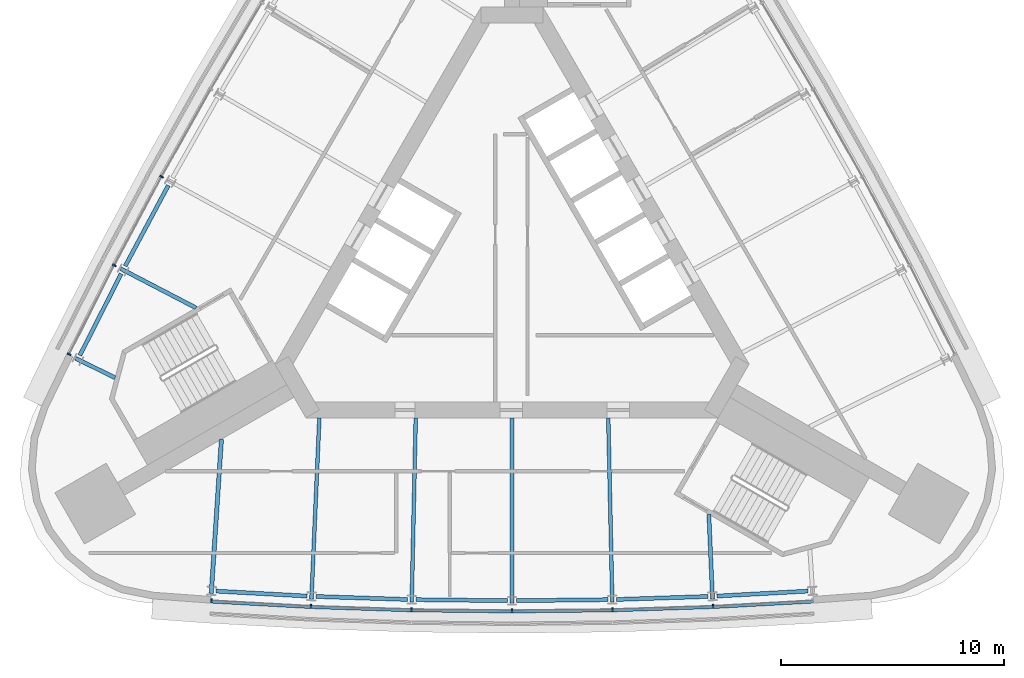
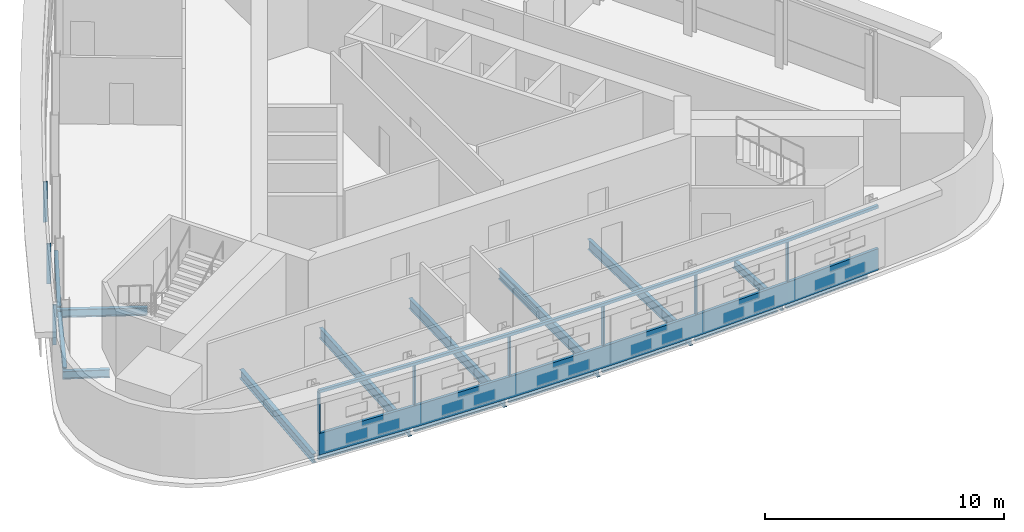
# One storey, part 2 of 11: 16 beams, 11 members, 2 elements without a shape of their own.
"""IFC4 building model written with IfcOpenShell, lengths in metres."""

from ifc_helpers import new_model, si_unit, direction, frame, origin, origin_2d, place, context, subcontext, project, spatial, polyline, rectangle, i_section, outline, extrude, material, material_profile, profile_set, type_object, element, aggregate, save


model = new_model("IFC4")

# Units and contexts
model_context = context("Model", 3, precision=1e-05, world=origin(), true_north=direction((0.0, 1.0)))
body_context = subcontext(model_context, "Body", "Model", "MODEL_VIEW")
ifc_project = project(units=[si_unit("LENGTHUNIT", "METRE"), si_unit("AREAUNIT", "SQUARE_METRE"), si_unit("VOLUMEUNIT", "CUBIC_METRE"), si_unit("PLANEANGLEUNIT", "RADIAN"), si_unit("MASSUNIT", "GRAM", prefix="KILO")], contexts=[model_context])

# Site, building, storey
site_placement = place(None, origin())
site = spatial("IfcSite", under=ifc_project, at=site_placement, CompositionType="ELEMENT")
building_placement = place(site_placement, origin())
building = spatial("IfcBuilding", under=site, at=building_placement, Name="Noor Cloister Tower", CompositionType="ELEMENT")
storey_placement = place(building_placement, frame((0.0, 0.0, 203.10009765625)))
storey = spatial("IfcBuildingStorey", under=building, at=storey_placement, Name="L52", CompositionType="ELEMENT", Elevation=203.10009765625)

# Curtain wall, member
ifc_material_1 = material(Name="Aluminium 6063-T6 anodised", Category="aluminium")
curtain_wall_type = type_object("IfcCurtainWallType", Name="Ribbon curtain wall, upper tower CW5", PredefinedType="NOTDEFINED", material=ifc_material_1)
curtain_wall_1_placement = place(storey_placement, origin())
curtain_wall_1 = element("IfcCurtainWall", 1, at=curtain_wall_1_placement, inside=storey, type_object=curtain_wall_type, Name="CW5 L52 S run 2", PredefinedType="NOTDEFINED")
ifc_material_2 = material(Name="Aluminium 6063-T6 anodised", Category="aluminium")
member_type_1 = type_object("IfcMemberType", Name="Head transom CW5 150", PredefinedType="USERDEFINED", material=ifc_material_2)
member_1_placement = place(storey_placement, frame((0.0, 0.0, 3.14990234375)))
member_1 = element("IfcMember", 2, at=member_1_placement, type_object=member_type_1, Name="CW5 head transom", ObjectType="TRANSOM", PredefinedType="USERDEFINED", context=body_context, shape_type="SweptSolid", body=[
    extrude(outline(polyline([(-13.490234375, -15.2236328125), (-8.9970703125, -15.469970703125), (-4.499755859375, -15.61767578125), (0.0, -15.666748046875), (4.499755859375, -15.61767578125), (8.9970703125, -15.469970703125), (13.490234375, -15.2236328125), (13.482666015625, -15.083984375), (8.990966796875, -15.330078125), (4.49658203125, -15.4775390625), (0.0, -15.52685546875), (-4.49658203125, -15.4775390625), (-8.990966796875, -15.330078125), (-13.482666015625, -15.083984375), (-13.490234375, -15.2236328125)])), origin(), (0.0, 0.0, 1.0), 0.14990234375),
])

# Curtain wall, members
curtain_wall_2_placement = place(storey_placement, origin())
curtain_wall_2 = element("IfcCurtainWall", 3, at=curtain_wall_2_placement, inside=storey, type_object=curtain_wall_type, Name="CW5 L52 NW run 1", PredefinedType="NOTDEFINED")
ifc_material_3 = material(Name="Aluminium 6063-T6 anodised", Category="aluminium")
ifc_material_profile_1 = material_profile(ifc_material_3, rectangle(XDim=0.179931640625, YDim=0.070068359375, at=origin_2d()), Name="180 x 70 mullion")
ifc_profile_set_1 = profile_set([ifc_material_profile_1], Name="Aluminium 6063-T6 anodised")
member_type_2 = type_object("IfcMemberType", Name="Mullion CW5 70 x 180", PredefinedType="MULLION", material=ifc_profile_set_1)
member_2_placement = place(storey_placement, frame((-15.687255859375, 3.864013671875, 1.099853515625), z_axis=(0.0, 0.0, 1.0), x_axis=(0.876762750316, -0.480923153589, 0.0)))
member_2 = element("IfcMember", 4, at=member_2_placement, type_object=member_type_2, Name="CW5 mullion 5", PredefinedType="MULLION", context=body_context, shape_type="SweptSolid", body=[
    extrude(rectangle(XDim=0.179931640625, YDim=0.070068359375, at=origin_2d()), origin(), (0.0, 0.0, 1.0), 2.050048828125),
])
member_3_placement = place(storey_placement, frame((-17.80712890625, -0.10302734375, 1.099853515625), z_axis=(0.0, 0.0, 1.0), x_axis=(0.887079929457, -0.461615856264, 0.0)))
member_3 = element("IfcMember", 5, at=member_3_placement, type_object=member_type_2, Name="CW5 mullion 6", PredefinedType="MULLION", context=body_context, shape_type="SweptSolid", body=[
    extrude(rectangle(XDim=0.179931640625, YDim=0.070068359375, at=origin_2d()), origin(), (0.0, 0.0, 1.0), 2.050048828125),
])
member_4_placement = place(storey_placement, frame((-19.82421875, -4.0849609375, 1.099853515625), z_axis=(0.0, 0.0, 1.0), x_axis=(0.892079410493, -0.451878662226, 0.0)))
member_4 = element("IfcMember", 6, at=member_4_placement, type_object=member_type_2, Name="CW5 mullion 7", PredefinedType="MULLION", context=body_context, shape_type="SweptSolid", body=[
    extrude(rectangle(XDim=0.179931640625, YDim=0.070068359375, at=origin_2d()), origin(), (0.0, 0.0, 1.0), 2.050048828125),
])
aggregate(curtain_wall_2, [member_2, member_3, member_4])

# Member
member_5_placement = place(storey_placement, frame((-13.449951171875, -15.125732421875, 1.099853515625), z_axis=(0.0, 0.0, 1.0), x_axis=(0.054701304331, 0.998502762793, 0.0)))
member_5 = element("IfcMember", 7, at=member_5_placement, type_object=member_type_2, Name="CW5 mullion 1", PredefinedType="MULLION", context=body_context, shape_type="SweptSolid", body=[
    extrude(rectangle(XDim=0.179931640625, YDim=0.070068359375, at=origin_2d()), origin(), (0.0, 0.0, 1.0), 2.050048828125),
])

member_6_placement = place(storey_placement, frame((-8.99267578125, -15.369873046875, 1.099853515625), z_axis=(0.0, 0.0, 1.0), x_axis=(0.043768906415, 0.999041682229, 0.0)))
member_6 = element("IfcMember", 8, at=member_6_placement, type_object=member_type_2, Name="CW5 mullion 2", PredefinedType="MULLION", context=body_context, shape_type="SweptSolid", body=[
    extrude(rectangle(XDim=0.179931640625, YDim=0.070068359375, at=origin_2d()), origin(), (0.0, 0.0, 1.0), 2.050048828125),
])

member_7_placement = place(storey_placement, frame((-4.49755859375, -15.517578125, 1.099853515625), z_axis=(0.0, 0.0, 1.0), x_axis=(0.021889706882, 0.99976039166, 0.0)))
member_7 = element("IfcMember", 9, at=member_7_placement, type_object=member_type_2, Name="CW5 mullion 3", PredefinedType="MULLION", context=body_context, shape_type="SweptSolid", body=[
    extrude(rectangle(XDim=0.179931640625, YDim=0.070068359375, at=origin_2d()), origin(), (0.0, 0.0, 1.0), 2.050048828125),
])

member_8_placement = place(storey_placement, frame((0.0, -15.56689453125, 1.099853515625), z_axis=(0.0, 0.0, 1.0), x_axis=(0.0, 1.0, 0.0)))
member_8 = element("IfcMember", 10, at=member_8_placement, type_object=member_type_2, Name="CW5 mullion 4", PredefinedType="MULLION", context=body_context, shape_type="SweptSolid", body=[
    extrude(rectangle(XDim=0.179931640625, YDim=0.070068359375, at=origin_2d()), origin(), (0.0, 0.0, 1.0), 2.050048828125),
])

member_9_placement = place(storey_placement, frame((4.49755859375, -15.517578125, 1.099853515625), z_axis=(0.0, 0.0, 1.0), x_axis=(-0.021889706882, 0.99976039166, 0.0)))
member_9 = element("IfcMember", 11, at=member_9_placement, type_object=member_type_2, Name="CW5 mullion 5", PredefinedType="MULLION", context=body_context, shape_type="SweptSolid", body=[
    extrude(rectangle(XDim=0.179931640625, YDim=0.070068359375, at=origin_2d()), origin(), (0.0, 0.0, 1.0), 2.050048828125),
])

member_10_placement = place(storey_placement, frame((8.99267578125, -15.369873046875, 1.099853515625), z_axis=(0.0, 0.0, 1.0), x_axis=(-0.043768906415, 0.999041682229, 0.0)))
member_10 = element("IfcMember", 12, at=member_10_placement, type_object=member_type_2, Name="CW5 mullion 6", PredefinedType="MULLION", context=body_context, shape_type="SweptSolid", body=[
    extrude(rectangle(XDim=0.179931640625, YDim=0.070068359375, at=origin_2d()), origin(), (0.0, 0.0, 1.0), 2.050048828125),
])

# Beams
ifc_material_4 = material(Name="Steel ASTM A992 Gr 50", Category="steel")
ifc_material_profile_2 = material_profile(ifc_material_4, i_section(OverallWidth=0.177978515625, OverallDepth=0.406005859375, WebThickness=0.0078125, FlangeThickness=0.0126953125, FilletRadius=0.01025390625, at=origin_2d()), Name="W410x60")
ifc_profile_set_2 = profile_set([ifc_material_profile_2], Name="Steel ASTM A992 Gr 50")
beam_type_1 = type_object("IfcBeamType", Name="Radial beam W410x60", PredefinedType="BEAM", material=ifc_profile_set_2)
beam_1_placement = place(storey_placement, frame((-17.50732421875, -0.259033203125, -0.403076171875), z_axis=(0.887090103739, -0.46159630398, 0.0), x_axis=(0.46159630398, 0.887090103739, 0.0)))
element("IfcBeam", 13, at=beam_1_placement, inside=storey, type_object=beam_type_1, Name="Radial beam NW 06 L52", PredefinedType="BEAM", context=body_context, shape_type="SweptSolid", body=[
    extrude(i_section(OverallWidth=0.177978515625, OverallDepth=0.406005859375, WebThickness=0.0078125, FlangeThickness=0.0126953125, FilletRadius=0.01025390625, at=origin_2d()), origin(), (0.0, 0.0, 1.0), 3.786865234375),
])
beam_2_placement = place(storey_placement, frame((-19.536376953125, -4.2646484375, -0.403076171875), z_axis=(0.896939506753, -0.442153277977, 0.0), x_axis=(0.442153277977, 0.896939506753, 0.0)))
element("IfcBeam", 14, at=beam_2_placement, inside=storey, type_object=beam_type_1, Name="Radial beam NW 07 L52", PredefinedType="BEAM", context=body_context, shape_type="SweptSolid", body=[
    extrude(i_section(OverallWidth=0.177978515625, OverallDepth=0.406005859375, WebThickness=0.0078125, FlangeThickness=0.0126953125, FilletRadius=0.01025390625, at=origin_2d()), origin(), (0.0, 0.0, 1.0), 1.97119140625),
])
beam_3_placement = place(storey_placement, frame((8.97802734375, -15.0322265625, -0.403076171875), z_axis=(-0.04377293556, 0.999041505701, 0.0), x_axis=(-0.999041505701, -0.04377293556, 0.0)))
element("IfcBeam", 15, at=beam_3_placement, inside=storey, type_object=beam_type_1, Name="Radial beam S 06 L52", PredefinedType="BEAM", context=body_context, shape_type="SweptSolid", body=[
    extrude(i_section(OverallWidth=0.177978515625, OverallDepth=0.406005859375, WebThickness=0.0078125, FlangeThickness=0.0126953125, FilletRadius=0.01025390625, at=origin_2d()), origin(), (0.0, 0.0, 1.0), 3.787109375),
])
ifc_material_5 = material(Name="Steel ASTM A992 Gr 50", Category="steel")
ifc_material_profile_3 = material_profile(ifc_material_5, i_section(OverallWidth=0.19091796875, OverallDepth=0.45703125, WebThickness=0.009033203125, FlangeThickness=0.014404296875, FilletRadius=0.01025390625, at=origin_2d()), Name="W460x74")
ifc_profile_set_3 = profile_set([ifc_material_profile_3], Name="Steel ASTM A992 Gr 50")
beam_type_2 = type_object("IfcBeamType", Name="Radial beam W460x74", PredefinedType="BEAM", material=ifc_profile_set_3)
beam_4_placement = place(storey_placement, frame((-13.461669921875, -14.78662109375, -0.4287109375), z_axis=(0.06565680667, 0.997842263957, 0.0), x_axis=(-0.997842263957, 0.06565680667, 0.0)))
element("IfcBeam", 16, at=beam_4_placement, inside=storey, type_object=beam_type_2, Name="Radial beam S 01 L52", PredefinedType="BEAM", context=body_context, shape_type="SweptSolid", body=[
    extrude(i_section(OverallWidth=0.19091796875, OverallDepth=0.45703125, WebThickness=0.009033203125, FlangeThickness=0.014404296875, FilletRadius=0.01025390625, at=origin_2d()), origin(), (0.0, 0.0, 1.0), 6.916259765625),
])
ifc_material_6 = material(Name="Steel ASTM A992 Gr 50", Category="steel")
ifc_material_profile_4 = material_profile(ifc_material_6, i_section(OverallWidth=0.166015625, OverallDepth=0.528076171875, WebThickness=0.009765625, FlangeThickness=0.013671875, FilletRadius=0.0126953125, at=origin_2d()), Name="W530x74")
ifc_profile_set_4 = profile_set([ifc_material_profile_4], Name="Steel ASTM A992 Gr 50")
beam_type_3 = type_object("IfcBeamType", Name="Radial beam W530x74", PredefinedType="BEAM", material=ifc_profile_set_4)
beam_5_placement = place(storey_placement, frame((-8.97802734375, -15.0322265625, -0.464111328125), z_axis=(0.043791173942, 0.99904070642, 0.0), x_axis=(-0.99904070642, 0.043791173942, 0.0)))
element("IfcBeam", 17, at=beam_5_placement, inside=storey, type_object=beam_type_3, Name="Radial beam S 02 L52", PredefinedType="BEAM", context=body_context, shape_type="SweptSolid", body=[
    extrude(i_section(OverallWidth=0.166015625, OverallDepth=0.528076171875, WebThickness=0.009765625, FlangeThickness=0.013671875, FilletRadius=0.0126953125, at=origin_2d()), origin(), (0.0, 0.0, 1.0), 8.11181640625),
])
beam_6_placement = place(storey_placement, frame((-4.489990234375, -15.1796875, -0.464111328125), z_axis=(0.02188954058, 0.999760395301, 0.0), x_axis=(-0.999760395301, 0.02188954058, 0.0)))
element("IfcBeam", 18, at=beam_6_placement, inside=storey, type_object=beam_type_3, Name="Radial beam S 03 L52", PredefinedType="BEAM", context=body_context, shape_type="SweptSolid", body=[
    extrude(i_section(OverallWidth=0.166015625, OverallDepth=0.528076171875, WebThickness=0.009765625, FlangeThickness=0.013671875, FilletRadius=0.0126953125, at=origin_2d()), origin(), (0.0, 0.0, 1.0), 8.25341796875),
])
beam_7_placement = place(storey_placement, frame((0.0, -15.228759765625, -0.464111328125), z_axis=(0.0, 1.0, 0.0), x_axis=(-1.0, 0.0, 0.0)))
element("IfcBeam", 19, at=beam_7_placement, inside=storey, type_object=beam_type_3, Name="Radial beam S 04 L52", PredefinedType="BEAM", context=body_context, shape_type="SweptSolid", body=[
    extrude(i_section(OverallWidth=0.166015625, OverallDepth=0.528076171875, WebThickness=0.009765625, FlangeThickness=0.013671875, FilletRadius=0.0126953125, at=origin_2d()), origin(), (0.0, 0.0, 1.0), 8.300537109375),
])
beam_8_placement = place(storey_placement, frame((4.489990234375, -15.1796875, -0.464111328125), z_axis=(-0.02188954058, 0.999760395301, 0.0), x_axis=(-0.999760395301, -0.02188954058, 0.0)))
element("IfcBeam", 20, at=beam_8_placement, inside=storey, type_object=beam_type_3, Name="Radial beam S 05 L52", PredefinedType="BEAM", context=body_context, shape_type="SweptSolid", body=[
    extrude(i_section(OverallWidth=0.166015625, OverallDepth=0.528076171875, WebThickness=0.009765625, FlangeThickness=0.013671875, FilletRadius=0.0126953125, at=origin_2d()), origin(), (0.0, 0.0, 1.0), 8.25341796875),
])

# Member
ifc_material_7 = material(Name="Aluminium 6063-T6 anodised", Category="aluminium")
member_type_3 = type_object("IfcMemberType", Name="Sill transom CW5 1100", PredefinedType="USERDEFINED", material=ifc_material_7)
member_11_placement = place(storey_placement, origin())
member_11 = element("IfcMember", 21, at=member_11_placement, type_object=member_type_3, Name="CW5 sill transom", ObjectType="TRANSOM", PredefinedType="USERDEFINED", context=body_context, shape_type="SweptSolid", body=[
    extrude(outline(polyline([(-13.490234375, -15.2236328125), (-8.9970703125, -15.469970703125), (-4.499755859375, -15.61767578125), (0.0, -15.666748046875), (4.499755859375, -15.61767578125), (8.9970703125, -15.469970703125), (13.490234375, -15.2236328125), (13.482666015625, -15.083984375), (8.990966796875, -15.330078125), (4.49658203125, -15.4775390625), (0.0, -15.52685546875), (-4.49658203125, -15.4775390625), (-8.990966796875, -15.330078125), (-13.482666015625, -15.083984375), (-13.490234375, -15.2236328125)])), origin(), (0.0, 0.0, 1.0), 1.099853515625),
])

aggregate(curtain_wall_1, [member_5, member_6, member_7, member_8, member_9, member_10, member_11, member_1])

# Beams
ifc_material_8 = material(Name="Steel ASTM A992 Gr 50", Category="steel")
ifc_material_profile_5 = material_profile(ifc_material_8, i_section(OverallWidth=0.177978515625, OverallDepth=0.406005859375, WebThickness=0.0078125, FlangeThickness=0.0126953125, FilletRadius=0.01025390625, at=origin_2d()), Name="W410x60")
ifc_profile_set_5 = profile_set([ifc_material_profile_5], Name="Steel ASTM A992 Gr 50")
beam_type_4 = type_object("IfcBeamType", Name="Spandrel beam W410x60", PredefinedType="SPANDREL", material=ifc_profile_set_5)
beam_9_placement = place(storey_placement, frame((-15.3857421875, 3.4736328125, -0.403076171875), z_axis=(-0.471309290778, -0.881967999661, 0.0), x_axis=(0.881967999661, -0.471309290778, 0.0)))
element("IfcBeam", 22, at=beam_9_placement, inside=storey, type_object=beam_type_4, Name="Spandrel beam NW 05 L52", PredefinedType="SPANDREL", context=body_context, shape_type="SweptSolid", body=[
    extrude(i_section(OverallWidth=0.177978515625, OverallDepth=0.406005859375, WebThickness=0.0078125, FlangeThickness=0.0126953125, FilletRadius=0.01025390625, at=origin_2d()), origin(), (0.0, 0.0, 1.0), 4.09375),
])
for number, where, z_axis, x_axis, name in (
    (23, (-17.4970703125, -0.486328125, -0.403076171875), (-0.451859126389, -0.892089306011, 0.0), (0.892089306011, -0.451859126389, 0.0), "Spandrel beam NW 06 L52"),
    (24, (-13.257568359375, -14.685546875, -0.403076171875), (0.998500455994, -0.05474339576, 0.0), (0.05474339576, 0.998500455994, 0.0), "Spandrel beam S 01 L52"),
):
    element("IfcBeam", number, at=place(storey_placement, frame(where, z_axis=z_axis, x_axis=x_axis)), inside=storey, type_object=beam_type_4, Name=name, PredefinedType="SPANDREL", context=body_context, shape_type="SweptSolid", body=[
        extrude(i_section(OverallWidth=0.177978515625, OverallDepth=0.406005859375, WebThickness=0.0078125, FlangeThickness=0.0126953125, FilletRadius=0.01025390625, at=origin_2d()), origin(), (0.0, 0.0, 1.0), 4.093994140625),
    ])
for number, where, z_axis, x_axis, name in (
    (25, (-8.776123046875, -14.9267578125, -0.403076171875), (0.999459961049, -0.032860101351, 0.0), (0.032860101351, 0.999459961049, 0.0), "Spandrel beam S 02 L52"),
    (26, (-4.29052734375, -15.06982421875, -0.403076171875), (0.999939791792, -0.010973276179, 0.0), (0.010973276179, 0.999939791792, 0.0), "Spandrel beam S 03 L52"),
    (27, (0.197021484375, -15.11474609375, -0.403076171875), (0.999939791792, 0.010973276179, 0.0), (-0.010973276179, 0.999939791792, 0.0), "Spandrel beam S 04 L52"),
    (28, (4.6845703125, -15.061279296875, -0.403076171875), (0.999459961049, 0.032860101351, 0.0), (-0.032860101351, 0.999459961049, 0.0), "Spandrel beam S 05 L52"),
):
    element("IfcBeam", number, at=place(storey_placement, frame(where, z_axis=z_axis, x_axis=x_axis)), inside=storey, type_object=beam_type_4, Name=name, PredefinedType="SPANDREL", context=body_context, shape_type="SweptSolid", body=[
        extrude(i_section(OverallWidth=0.177978515625, OverallDepth=0.406005859375, WebThickness=0.0078125, FlangeThickness=0.0126953125, FilletRadius=0.01025390625, at=origin_2d()), origin(), (0.0, 0.0, 1.0), 4.09375),
    ])
beam_10_placement = place(storey_placement, frame((9.169677734375, -14.90966796875, -0.403076171875), z_axis=(0.998500455994, 0.05474339576, 0.0), x_axis=(-0.05474339576, 0.998500455994, 0.0)))
element("IfcBeam", 29, at=beam_10_placement, inside=storey, type_object=beam_type_4, Name="Spandrel beam S 06 L52", PredefinedType="SPANDREL", context=body_context, shape_type="SweptSolid", body=[
    extrude(i_section(OverallWidth=0.177978515625, OverallDepth=0.406005859375, WebThickness=0.0078125, FlangeThickness=0.0126953125, FilletRadius=0.01025390625, at=origin_2d()), origin(), (0.0, 0.0, 1.0), 4.093994140625),
])

save(model, "model.ifc")
